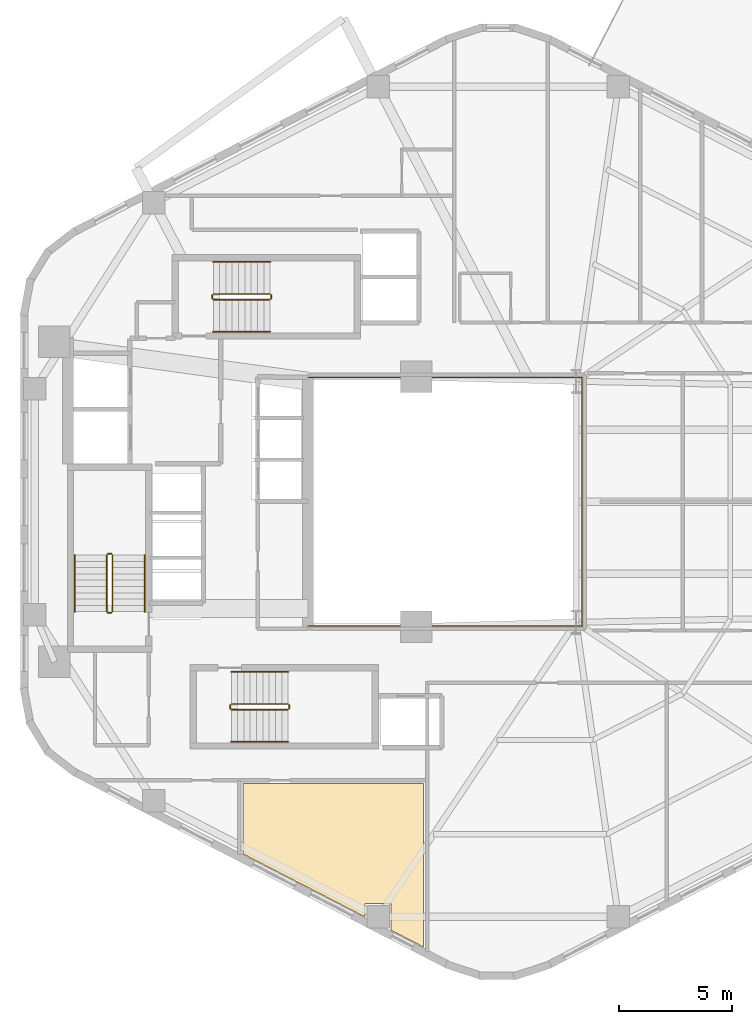
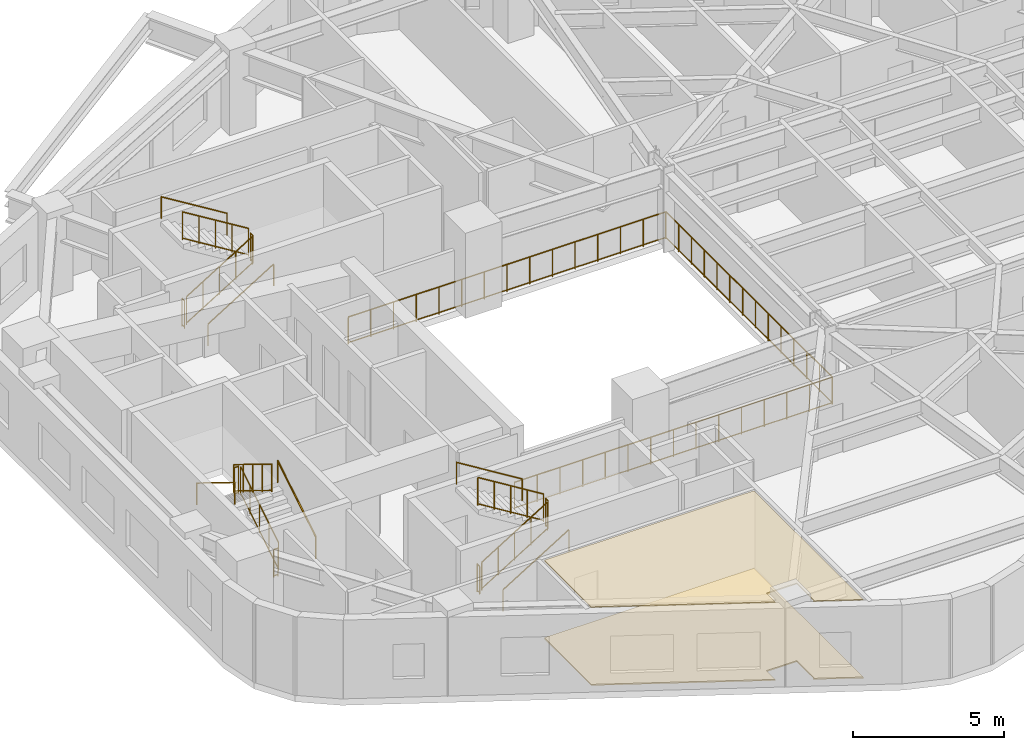
# One storey, part 7 of 8: 19 railings, 2 coverings.
"""IFC4 building model written with IfcOpenShell, lengths in metres."""

import ifcopenshell
import ifcopenshell.guid

model = None  # the IFC model being written
_history = None  # IfcOwnerHistory: only IFC2X3 demands one
_inside = {}  # id of a spatial element -> (the spatial element, [elements in it])
_under = {}  # id of a project, library or spatial element -> (it, [spatial elements below it])
_declared = {}  # id of a project -> (the project, [libraries it declares])
_typed = {}  # id of a type object -> (the type object, [elements of that type])
_made_of = {}  # id of a material, layer set ... -> (it, [elements and type objects made of it])


def new_model(schema):
    """Start an empty IFC model of exactly this schema.

    Asked for "IFC4X3", IfcOpenShell would pick the latest addendum, in which some entities
    have other attributes; the version numbers below select the first issue.
    IFC2X3 requires an IfcOwnerHistory on every rooted entity: one is made here for all.
    """
    global model, _history
    if schema == "IFC4X3":
        model = ifcopenshell.file(schema_version=(4, 3, 0, 0))
    else:
        model = ifcopenshell.file(schema=schema)
    _inside.clear()
    _under.clear()
    _declared.clear()
    _typed.clear()
    _made_of.clear()
    _history = None
    if model.schema == "IFC2X3":
        org = make("IfcOrganization", Name="unknown")
        user = make(
            "IfcPersonAndOrganization",
            ThePerson=make("IfcPerson", FamilyName="unknown"),
            TheOrganization=org,
        )
        app = make(
            "IfcApplication",
            ApplicationDeveloper=org,
            Version="unknown",
            ApplicationFullName="unknown",
            ApplicationIdentifier="unknown",
        )
        _history = make(
            "IfcOwnerHistory",
            OwningUser=user,
            OwningApplication=app,
            ChangeAction="ADDED",
            CreationDate=0,
        )
    return model


def make(cls, **values):
    """One entity of the class cls with the attributes given. An attribute that is None is left unset."""
    return model.create_entity(
        cls, **{name: value for name, value in values.items() if value is not None}
    )


def rooted(cls, **values):
    """An entity with a GlobalId (a new one), such as an element, a storey or a relation."""
    return make(cls, GlobalId=ifcopenshell.guid.new(), OwnerHistory=_history, **values)


def si_unit(unit_type, name, prefix=None):
    """IfcSIUnit, for example si_unit("LENGTHUNIT", "METRE", prefix="MILLI")."""
    return make("IfcSIUnit", UnitType=unit_type, Prefix=prefix, Name=name)


def assignment(units):
    """IfcUnitAssignment: the units of a project."""
    return None if units is None else make("IfcUnitAssignment", Units=units)


def point(xyz):
    """IfcCartesianPoint."""
    return None if xyz is None else make("IfcCartesianPoint", Coordinates=xyz)


def direction(xyz):
    """IfcDirection."""
    return None if xyz is None else make("IfcDirection", DirectionRatios=xyz)


def frame(location, z_axis=None, x_axis=None):
    """IfcAxis2Placement3D, a coordinate frame: its origin and axes. An axis left out is left unset."""
    return make(
        "IfcAxis2Placement3D",
        Location=point(location),
        Axis=direction(z_axis),
        RefDirection=direction(x_axis),
    )


def frame_2d(location, x_axis=None):
    """IfcAxis2Placement2D, a coordinate frame in the plane: its origin and x axis."""
    return make(
        "IfcAxis2Placement2D", Location=point(location), RefDirection=direction(x_axis)
    )


def origin():
    """The frame at (0, 0, 0) with its axes left unset."""
    return frame((0.0, 0.0, 0.0))


def origin_2d():
    """The frame at (0, 0) in the plane with its x axis left unset."""
    return frame_2d((0.0, 0.0))


def place(relative_to, where):
    """IfcLocalPlacement: puts the frame where relative to a parent placement (None: the world)."""
    return make(
        "IfcLocalPlacement", PlacementRelTo=relative_to, RelativePlacement=where
    )


def context(
    kind, dimensions, precision=None, world=None, true_north=None, identifier=None
):
    """IfcGeometricRepresentationContext, for example the 3D "Model" context."""
    return make(
        "IfcGeometricRepresentationContext",
        ContextIdentifier=identifier,
        ContextType=kind,
        CoordinateSpaceDimension=dimensions,
        Precision=precision,
        WorldCoordinateSystem=world,
        TrueNorth=true_north,
    )


def subcontext(parent, identifier, kind, view, scale=None):
    """IfcGeometricRepresentationSubContext, for example "Body" below "Model"."""
    return make(
        "IfcGeometricRepresentationSubContext",
        ContextIdentifier=identifier,
        ContextType=kind,
        ParentContext=parent,
        TargetScale=scale,
        TargetView=view,
    )


def project(units=None, contexts=None):
    """IfcProject with its units and contexts."""
    return rooted(
        "IfcProject",
        Name="project",
        RepresentationContexts=contexts,
        UnitsInContext=assignment(units),
    )


def spatial(cls, under=None, at=None, **own):
    """A site, building, storey or space (cls), placed at a placement, below another one or the project."""
    s = rooted(cls, ObjectPlacement=at, **own)
    if under is not None:
        _under.setdefault(under.id(), (under, []))[1].append(s)
    return s


def polyline(points):
    """IfcPolyline through the points."""
    return make("IfcPolyline", Points=[point(p) for p in points])


def profile(cls, at=None, kind="AREA", **sizes):
    """A parametric profile (cls). Its sizes go by their IFC names, for example OverallWidth=200.0."""
    return make(cls, ProfileType=kind, Position=at, **sizes)


def circle(**sizes):
    """IfcCircleProfileDef."""
    return profile("IfcCircleProfileDef", **sizes)


def outline(outer, holes=None, kind="AREA"):
    """IfcArbitraryClosedProfileDef: a profile drawn as a closed curve; with holes, ...WithVoids."""
    if holes is None:
        return make("IfcArbitraryClosedProfileDef", ProfileType=kind, OuterCurve=outer)
    return make(
        "IfcArbitraryProfileDefWithVoids",
        ProfileType=kind,
        OuterCurve=outer,
        InnerCurves=holes,
    )


def extrude(swept, where, along, depth):
    """IfcExtrudedAreaSolid: the profile swept, set in the frame where, extruded along a direction by depth."""
    return make(
        "IfcExtrudedAreaSolid",
        SweptArea=swept,
        Position=where,
        ExtrudedDirection=direction(along),
        Depth=depth,
    )


def shape(context_of_items, identifier, shape_type, items):
    """IfcShapeRepresentation: the items that make up one representation, for example the "Body"."""
    return make(
        "IfcShapeRepresentation",
        ContextOfItems=context_of_items,
        RepresentationIdentifier=identifier,
        RepresentationType=shape_type,
        Items=items,
    )


def material(Name=None, Category=None):
    """IfcMaterial."""
    return make("IfcMaterial", Name=Name, Category=Category)


def layer(
    of_material, thickness, ventilated=None, Name=None, Category=None, Priority=None
):
    """IfcMaterialLayer: one layer of a wall or slab, of a material (None: an air gap)."""
    return make(
        "IfcMaterialLayer",
        Material=of_material,
        LayerThickness=thickness,
        IsVentilated=ventilated,
        Name=Name,
        Category=Category,
        Priority=Priority,
    )


def layer_set(layers, Name=None):
    """IfcMaterialLayerSet."""
    return make("IfcMaterialLayerSet", MaterialLayers=layers, LayerSetName=Name)


def made_of(thing, what):
    """Note that an element or type object is made of a material, layer set ...; save() writes the relation."""
    if what is not None:
        _made_of.setdefault(what.id(), (what, []))[1].append(thing)
    return thing


def type_object(cls, material=None, **own):
    """A type object (cls), such as IfcWallType, which elements share."""
    return made_of(rooted(cls, **own), material)


def element(
    cls,
    number,
    at=None,
    inside=None,
    cuts=None,
    type_object=None,
    material=None,
    context=None,
    identifier="Body",
    shape_type=None,
    held_by="IfcProductDefinitionShape",
    body=None,
    shapes=None,
    **own,
):
    """One element of the class cls, such as IfcWall. Its Tag is "e" and its number.

    at: its placement. inside: the storey or other place that contains it. cuts: it is an
    opening in that element (IfcRelVoidsElement). A single representation is given by context,
    identifier, shape_type and body (its items); several are given by shapes. held_by: the class
    of the entity that holds the representations. save() writes the other relations.
    """
    e = rooted(cls, Tag="e%d" % number, ObjectPlacement=at, **own)
    if body is not None:
        shapes = [shape(context, identifier, shape_type, body)]
    if shapes is not None:
        e.Representation = make(held_by, Representations=shapes)
    if inside is not None:
        _inside.setdefault(inside.id(), (inside, []))[1].append(e)
    if cuts is not None:
        rooted(
            "IfcRelVoidsElement", RelatingBuildingElement=cuts, RelatedOpeningElement=e
        )
    if type_object is not None:
        _typed.setdefault(type_object.id(), (type_object, []))[1].append(e)
    return made_of(e, material)


def aggregate(whole, parts):
    """IfcRelAggregates: a whole, such as a stair, and the parts it consists of."""
    return rooted("IfcRelAggregates", RelatingObject=whole, RelatedObjects=parts)


def save(model, path):
    """Write the relations noted so far, then the file.

    IfcRelAggregates (storeys below a building ...), IfcRelContainedInSpatialStructure (elements
    in a storey), IfcRelDefinesByType, IfcRelAssociatesMaterial and IfcRelDeclares: one each for
    every whole, place, type object, material and project.
    """
    for whole, parts in _under.values():
        aggregate(whole, parts)
    for where, things in _inside.values():
        rooted(
            "IfcRelContainedInSpatialStructure",
            RelatedElements=things,
            RelatingStructure=where,
        )
    for kind, things in _typed.values():
        rooted("IfcRelDefinesByType", RelatedObjects=things, RelatingType=kind)
    for what, things in _made_of.values():
        rooted("IfcRelAssociatesMaterial", RelatedObjects=things, RelatingMaterial=what)
    for by, libraries in _declared.values():
        rooted("IfcRelDeclares", RelatingContext=by, RelatedDefinitions=libraries)
    model.write(path)


model = new_model("IFC4")

# Units and contexts
model_context = context("Model", 3, precision=1e-05, world=origin(), true_north=direction((0.0, 1.0)))
body_context = subcontext(model_context, "Body", "Model", "MODEL_VIEW")
ifc_project = project(units=[si_unit("LENGTHUNIT", "METRE"), si_unit("AREAUNIT", "SQUARE_METRE"), si_unit("VOLUMEUNIT", "CUBIC_METRE"), si_unit("PLANEANGLEUNIT", "RADIAN"), si_unit("MASSUNIT", "GRAM", prefix="KILO"), si_unit("THERMODYNAMICTEMPERATUREUNIT", "KELVIN"), si_unit("POWERUNIT", "WATT")], contexts=[model_context])

# Site, building, storey
site_placement = place(None, origin())
site = spatial("IfcSite", under=ifc_project, at=site_placement, CompositionType="ELEMENT")
building_placement = place(site_placement, origin())
building = spatial("IfcBuilding", under=site, at=building_placement, Name="Skarre Station Tower", CompositionType="ELEMENT")
storey_placement = place(building_placement, frame((0.0, 0.0, 122.25)))
storey = spatial("IfcBuildingStorey", under=building, at=storey_placement, Name="L32", CompositionType="ELEMENT", Elevation=122.25)

# Railing
ifc_material_1 = material(Name="Bronze Anodized Steel & Laminated Glass Balustrade", Category="steel")
railing_type_1 = type_object("IfcRailingType", Name="Atrium Void & Mezzanine Guard Balustrade 1120", PredefinedType="GUARDRAIL", material=ifc_material_1)
railing_1_placement = place(storey_placement, frame((27.550048828125, 18.47998046875, 0.0)))
element("IfcRailing", 1, at=railing_1_placement, inside=storey, type_object=railing_type_1, Name="L32 Atrium Void Guard Balustrade", PredefinedType="GUARDRAIL", context=body_context, shape_type="SweptSolid", body=[
    extrude(circle(Radius=0.02392578125, at=origin_2d()), frame((0.0, 0.0, 1.09619140625), z_axis=(1.0, 0.0, 0.0), x_axis=(0.0, 1.0, 0.0)), (0.0, 0.0, 1.0), 12.169921875),
    extrude(circle(Radius=0.02099609375, at=origin_2d()), frame((0.0, 0.0, 0.06005859375), z_axis=(1.0, 0.0, 0.0), x_axis=(0.0, 1.0, 0.0)), (0.0, 0.0, 1.0), 12.169921875),
    extrude(circle(Radius=0.02392578125, at=origin_2d()), frame((12.169921875, 0.0, 1.09619140625), z_axis=(0.0, 1.0, 0.0), x_axis=(-1.0, 0.0, 0.0)), (0.0, 0.0, 1.0), 11.0400390625),
    extrude(circle(Radius=0.02099609375, at=origin_2d()), frame((12.169921875, 0.0, 0.06005859375), z_axis=(0.0, 1.0, 0.0), x_axis=(-1.0, 0.0, 0.0)), (0.0, 0.0, 1.0), 11.0400390625),
    extrude(circle(Radius=0.02392578125, at=origin_2d()), frame((12.169921875, 11.0400390625, 1.09619140625), z_axis=(-1.0, 0.0, 0.0), x_axis=(0.0, -1.0, 0.0)), (0.0, 0.0, 1.0), 12.169921875),
    extrude(circle(Radius=0.02099609375, at=origin_2d()), frame((12.169921875, 11.0400390625, 0.06005859375), z_axis=(-1.0, 0.0, 0.0), x_axis=(0.0, -1.0, 0.0)), (0.0, 0.0, 1.0), 12.169921875),
    extrude(circle(Radius=0.02099609375, at=origin_2d()), origin(), (0.0, 0.0, 1.0), 1.072021484375),
    extrude(circle(Radius=0.02099609375, at=origin_2d()), frame((0.869384765625, 0.0, 0.0)), (0.0, 0.0, 1.0), 1.072021484375),
    extrude(circle(Radius=0.02099609375, at=origin_2d()), frame((1.738525390625, 0.0, 0.0)), (0.0, 0.0, 1.0), 1.072021484375),
    extrude(circle(Radius=0.02099609375, at=origin_2d()), frame((2.60791015625, 0.0, 0.0)), (0.0, 0.0, 1.0), 1.072021484375),
    extrude(circle(Radius=0.02099609375, at=origin_2d()), frame((3.47705078125, 0.0, 0.0)), (0.0, 0.0, 1.0), 1.072021484375),
    extrude(circle(Radius=0.02099609375, at=origin_2d()), frame((4.346435546875, 0.0, 0.0)), (0.0, 0.0, 1.0), 1.072021484375),
    extrude(circle(Radius=0.02099609375, at=origin_2d()), frame((5.215576171875, 0.0, 0.0)), (0.0, 0.0, 1.0), 1.072021484375),
    extrude(circle(Radius=0.02099609375, at=origin_2d()), frame((6.0849609375, 0.0, 0.0)), (0.0, 0.0, 1.0), 1.072021484375),
    extrude(circle(Radius=0.02099609375, at=origin_2d()), frame((6.954345703125, 0.0, 0.0)), (0.0, 0.0, 1.0), 1.072021484375),
    extrude(circle(Radius=0.02099609375, at=origin_2d()), frame((7.823486328125, 0.0, 0.0)), (0.0, 0.0, 1.0), 1.072021484375),
    extrude(circle(Radius=0.02099609375, at=origin_2d()), frame((8.69287109375, 0.0, 0.0)), (0.0, 0.0, 1.0), 1.072021484375),
    extrude(circle(Radius=0.02099609375, at=origin_2d()), frame((9.56201171875, 0.0, 0.0)), (0.0, 0.0, 1.0), 1.072021484375),
    extrude(circle(Radius=0.02099609375, at=origin_2d()), frame((10.431396484375, 0.0, 0.0)), (0.0, 0.0, 1.0), 1.072021484375),
    extrude(circle(Radius=0.02099609375, at=origin_2d()), frame((11.300537109375, 0.0, 0.0)), (0.0, 0.0, 1.0), 1.072021484375),
    extrude(circle(Radius=0.02099609375, at=origin_2d()), frame((12.169921875, 0.0, 0.0)), (0.0, 0.0, 1.0), 1.072021484375),
    extrude(circle(Radius=0.02099609375, at=origin_2d()), frame((12.169921875, 0.84912109375, 0.0)), (0.0, 0.0, 1.0), 1.072021484375),
    extrude(circle(Radius=0.02099609375, at=origin_2d()), frame((12.169921875, 1.698486328125, 0.0)), (0.0, 0.0, 1.0), 1.072021484375),
    extrude(circle(Radius=0.02099609375, at=origin_2d()), frame((12.169921875, 2.547607421875, 0.0)), (0.0, 0.0, 1.0), 1.072021484375),
    extrude(circle(Radius=0.02099609375, at=origin_2d()), frame((12.169921875, 3.39697265625, 0.0)), (0.0, 0.0, 1.0), 1.072021484375),
    extrude(circle(Radius=0.02099609375, at=origin_2d()), frame((12.169921875, 4.24609375, 0.0)), (0.0, 0.0, 1.0), 1.072021484375),
    extrude(circle(Radius=0.02099609375, at=origin_2d()), frame((12.169921875, 5.095458984375, 0.0)), (0.0, 0.0, 1.0), 1.072021484375),
    extrude(circle(Radius=0.02099609375, at=origin_2d()), frame((12.169921875, 5.944580078125, 0.0)), (0.0, 0.0, 1.0), 1.072021484375),
    extrude(circle(Radius=0.02099609375, at=origin_2d()), frame((12.169921875, 6.7939453125, 0.0)), (0.0, 0.0, 1.0), 1.072021484375),
    extrude(circle(Radius=0.02099609375, at=origin_2d()), frame((12.169921875, 7.64306640625, 0.0)), (0.0, 0.0, 1.0), 1.072021484375),
    extrude(circle(Radius=0.02099609375, at=origin_2d()), frame((12.169921875, 8.492431640625, 0.0)), (0.0, 0.0, 1.0), 1.072021484375),
    extrude(circle(Radius=0.02099609375, at=origin_2d()), frame((12.169921875, 9.341552734375, 0.0)), (0.0, 0.0, 1.0), 1.072021484375),
    extrude(circle(Radius=0.02099609375, at=origin_2d()), frame((12.169921875, 10.19091796875, 0.0)), (0.0, 0.0, 1.0), 1.072021484375),
    extrude(circle(Radius=0.02099609375, at=origin_2d()), frame((12.169921875, 11.0400390625, 0.0)), (0.0, 0.0, 1.0), 1.072021484375),
    extrude(circle(Radius=0.02099609375, at=origin_2d()), frame((11.300537109375, 11.0400390625, 0.0)), (0.0, 0.0, 1.0), 1.072021484375),
    extrude(circle(Radius=0.02099609375, at=origin_2d()), frame((10.431396484375, 11.0400390625, 0.0)), (0.0, 0.0, 1.0), 1.072021484375),
    extrude(circle(Radius=0.02099609375, at=origin_2d()), frame((9.56201171875, 11.0400390625, 0.0)), (0.0, 0.0, 1.0), 1.072021484375),
    extrude(circle(Radius=0.02099609375, at=origin_2d()), frame((8.69287109375, 11.0400390625, 0.0)), (0.0, 0.0, 1.0), 1.072021484375),
    extrude(circle(Radius=0.02099609375, at=origin_2d()), frame((7.823486328125, 11.0400390625, 0.0)), (0.0, 0.0, 1.0), 1.072021484375),
    extrude(circle(Radius=0.02099609375, at=origin_2d()), frame((6.954345703125, 11.0400390625, 0.0)), (0.0, 0.0, 1.0), 1.072021484375),
    extrude(circle(Radius=0.02099609375, at=origin_2d()), frame((6.0849609375, 11.0400390625, 0.0)), (0.0, 0.0, 1.0), 1.072021484375),
    extrude(circle(Radius=0.02099609375, at=origin_2d()), frame((5.215576171875, 11.0400390625, 0.0)), (0.0, 0.0, 1.0), 1.072021484375),
    extrude(circle(Radius=0.02099609375, at=origin_2d()), frame((4.346435546875, 11.0400390625, 0.0)), (0.0, 0.0, 1.0), 1.072021484375),
    extrude(circle(Radius=0.02099609375, at=origin_2d()), frame((3.47705078125, 11.0400390625, 0.0)), (0.0, 0.0, 1.0), 1.072021484375),
    extrude(circle(Radius=0.02099609375, at=origin_2d()), frame((2.60791015625, 11.0400390625, 0.0)), (0.0, 0.0, 1.0), 1.072021484375),
    extrude(circle(Radius=0.02099609375, at=origin_2d()), frame((1.738525390625, 11.0400390625, 0.0)), (0.0, 0.0, 1.0), 1.072021484375),
    extrude(circle(Radius=0.02099609375, at=origin_2d()), frame((0.869384765625, 11.0400390625, 0.0)), (0.0, 0.0, 1.0), 1.072021484375),
    extrude(circle(Radius=0.02099609375, at=origin_2d()), frame((0.0, 11.0400390625, 0.0)), (0.0, 0.0, 1.0), 1.072021484375),
])

# Coverings
ifc_material_2 = material(Name="Honed Jura Limestone & Calcium-Sulfate Access Tile", Category="masonry")
ifc_layer_1 = layer(ifc_material_2, 0.050048828125, Name="Honed Jura Limestone & Calcium-Sulfate Access Tile")
ifc_layer_set_1 = layer_set([ifc_layer_1], Name="Honed Jura Limestone & Calcium-Sulfate Access Tile")
covering_type_1 = type_object("IfcCoveringType", Name="Honed Limestone & Raised Access Floor Finish 50", PredefinedType="FLOORING", material=ifc_layer_set_1)
covering_1_placement = place(storey_placement, origin())
element("IfcCovering", 2, at=covering_1_placement, inside=storey, type_object=covering_type_1, Name="L32 Limestone Access Flooring 1", PredefinedType="FLOORING", context=body_context, shape_type="SweptSolid", body=[
    extrude(outline(polyline([(24.659912109375, 8.3798828125), (30.089111328125, 5.577880859375), (30.089111328125, 6.162109375), (31.2490234375, 6.162109375), (31.2490234375, 5.001953125), (31.205078125, 5.001953125), (32.68994140625, 4.235107421875), (32.68994140625, 11.5), (24.659912109375, 11.5), (24.659912109375, 8.3798828125)])), origin(), (0.0, 0.0, 1.0), 0.050048828125),
])
ifc_material_3 = material(Name="Perforated Nordic Birch Veneer & Mineral Wool", Category="wood")
ifc_layer_2 = layer(ifc_material_3, 0.044921875, Name="Perforated Nordic Birch Veneer & Mineral Wool")
ifc_layer_set_2 = layer_set([ifc_layer_2], Name="Perforated Nordic Birch Veneer & Mineral Wool")
covering_type_2 = type_object("IfcCoveringType", Name="Nordic Birch Slatted Acoustic Suspended Ceiling 45", PredefinedType="CEILING", material=ifc_layer_set_2)
covering_2_placement = place(storey_placement, frame((0.0, 0.0, 3.14501953125)))
element("IfcCovering", 3, at=covering_2_placement, inside=storey, type_object=covering_type_2, Name="L32 Acoustic Birch Ceiling 1", PredefinedType="CEILING", context=body_context, shape_type="SweptSolid", body=[
    extrude(outline(polyline([(24.659912109375, 8.3798828125), (30.089111328125, 5.577880859375), (30.089111328125, 6.162109375), (31.2490234375, 6.162109375), (31.2490234375, 5.001953125), (31.205078125, 5.001953125), (32.68994140625, 4.235107421875), (32.68994140625, 11.5), (24.659912109375, 11.5), (24.659912109375, 8.3798828125)])), origin(), (0.0, 0.0, 1.0), 0.044921875),
])

# Railings
ifc_material_4 = material(Name="Powder-Coated Tubular Steel", Category="steel")
railing_type_2 = type_object("IfcRailingType", Name="Painted Steel Ramp & Stair Handrail 920", PredefinedType="HANDRAIL", material=ifc_material_4)
railing_2_placement = place(storey_placement, frame((20.300048828125, 19.1201171875, 0.172607421875)))
element("IfcRailing", 4, at=railing_2_placement, inside=storey, type_object=railing_type_2, Name="L32 ST-1 stair handrail 1", PredefinedType="HANDRAIL", context=body_context, shape_type="SweptSolid", body=[
    extrude(circle(Radius=0.02392578125, at=origin_2d()), frame((0.0, 0.0, 0.8759765625), z_axis=(0.0, 0.851377800117, 0.52455299205), x_axis=(-1.0, 0.0, 0.0)), (0.0, 0.0, 1.0), 2.959716796875),
    extrude(circle(Radius=0.02099609375, at=origin_2d()), origin(), (0.0, 0.0, 1.0), 0.851806640625),
    extrude(circle(Radius=0.02099609375, at=origin_2d()), frame((0.0, 2.519775390625, 1.552490234375)), (0.0, 0.0, 1.0), 0.851806640625),
])
railing_3_placement = place(storey_placement, frame((17.199951171875, 21.639892578125, 1.8974609375)))
element("IfcRailing", 5, at=railing_3_placement, inside=storey, type_object=railing_type_2, Name="L32 ST-1 stair handrail 2", PredefinedType="HANDRAIL", context=body_context, shape_type="SweptSolid", body=[
    extrude(circle(Radius=0.02392578125, at=origin_2d()), frame((0.0, 0.0, 0.8759765625), z_axis=(0.0, -0.851377800117, 0.52455299205), x_axis=(1.0, 0.0, 0.0)), (0.0, 0.0, 1.0), 2.959716796875),
    extrude(circle(Radius=0.02099609375, at=origin_2d()), origin(), (0.0, 0.0, 1.0), 0.851806640625),
    extrude(circle(Radius=0.02099609375, at=origin_2d()), frame((0.0, -2.519775390625, 1.552490234375)), (0.0, 0.0, 1.0), 0.851806640625),
])
railing_4_placement = place(storey_placement, frame((24.14990234375, 13.35009765625, 0.172607421875)))
element("IfcRailing", 6, at=railing_4_placement, inside=storey, type_object=railing_type_2, Name="L32 ST-2 stair handrail 1", PredefinedType="HANDRAIL", context=body_context, shape_type="SweptSolid", body=[
    extrude(circle(Radius=0.02392578125, at=origin_2d()), frame((0.0, 0.0, 0.8759765625), z_axis=(0.851400495292, 0.0, 0.524516154772), x_axis=(0.0, 1.0, 0.0)), (0.0, 0.0, 1.0), 2.9599609375),
    extrude(circle(Radius=0.02099609375, at=origin_2d()), origin(), (0.0, 0.0, 1.0), 0.851806640625),
    extrude(circle(Radius=0.02099609375, at=origin_2d()), frame((2.52001953125, 0.0, 1.552490234375)), (0.0, 0.0, 1.0), 0.851806640625),
])
railing_5_placement = place(storey_placement, frame((26.669921875, 16.449951171875, 1.8974609375)))
element("IfcRailing", 7, at=railing_5_placement, inside=storey, type_object=railing_type_2, Name="L32 ST-2 stair handrail 2", PredefinedType="HANDRAIL", context=body_context, shape_type="SweptSolid", body=[
    extrude(circle(Radius=0.02392578125, at=origin_2d()), frame((0.0, 0.0, 0.8759765625), z_axis=(-0.851400495292, 0.0, 0.524516154772), x_axis=(0.0, -1.0, 0.0)), (0.0, 0.0, 1.0), 2.9599609375),
    extrude(circle(Radius=0.02099609375, at=origin_2d()), origin(), (0.0, 0.0, 1.0), 0.851806640625),
    extrude(circle(Radius=0.02099609375, at=origin_2d()), frame((-2.52001953125, 0.0, 1.552490234375)), (0.0, 0.0, 1.0), 0.851806640625),
])
railing_6_placement = place(storey_placement, frame((23.35009765625, 31.550048828125, 0.172607421875)))
element("IfcRailing", 8, at=railing_6_placement, inside=storey, type_object=railing_type_2, Name="L32 ST-3 stair handrail 1", PredefinedType="HANDRAIL", context=body_context, shape_type="SweptSolid", body=[
    extrude(circle(Radius=0.02392578125, at=origin_2d()), frame((0.0, 0.0, 0.8759765625), z_axis=(0.851400495292, 0.0, 0.524516154772), x_axis=(0.0, 1.0, 0.0)), (0.0, 0.0, 1.0), 2.9599609375),
    extrude(circle(Radius=0.02099609375, at=origin_2d()), origin(), (0.0, 0.0, 1.0), 0.851806640625),
    extrude(circle(Radius=0.02099609375, at=origin_2d()), frame((2.52001953125, 0.0, 1.552490234375)), (0.0, 0.0, 1.0), 0.851806640625),
])
railing_7_placement = place(storey_placement, frame((25.8701171875, 34.64990234375, 1.8974609375)))
element("IfcRailing", 9, at=railing_7_placement, inside=storey, type_object=railing_type_2, Name="L32 ST-3 stair handrail 2", PredefinedType="HANDRAIL", context=body_context, shape_type="SweptSolid", body=[
    extrude(circle(Radius=0.02392578125, at=origin_2d()), frame((0.0, 0.0, 0.8759765625), z_axis=(-0.851400495292, 0.0, 0.524516154772), x_axis=(0.0, -1.0, 0.0)), (0.0, 0.0, 1.0), 2.9599609375),
    extrude(circle(Radius=0.02099609375, at=origin_2d()), origin(), (0.0, 0.0, 1.0), 0.851806640625),
    extrude(circle(Radius=0.02099609375, at=origin_2d()), frame((-2.52001953125, 0.0, 1.552490234375)), (0.0, 0.0, 1.0), 0.851806640625),
])
railing_type_3 = type_object("IfcRailingType", Name="Painted Steel Stairwell Guardrail 1100", PredefinedType="GUARDRAIL", material=ifc_material_4)
railing_8_placement = place(storey_placement, frame((18.8798828125, 19.1201171875, 0.172607421875)))
element("IfcRailing", 10, at=railing_8_placement, inside=storey, type_object=railing_type_3, Name="L32 ST-1 stair guard 1", PredefinedType="GUARDRAIL", context=body_context, shape_type="SweptSolid", body=[
    extrude(circle(Radius=0.02392578125, at=origin_2d()), frame((0.0, 0.0, 1.1259765625), z_axis=(0.0, 0.851377800117, 0.52455299205), x_axis=(-1.0, 0.0, 0.0)), (0.0, 0.0, 1.0), 2.959716796875),
    extrude(circle(Radius=0.02099609375, at=origin_2d()), frame((0.0, 0.0, 0.06005859375), z_axis=(0.0, 0.851377800117, 0.52455299205), x_axis=(-1.0, 0.0, 0.0)), (0.0, 0.0, 1.0), 2.959716796875),
    extrude(circle(Radius=0.02099609375, at=origin_2d()), origin(), (0.0, 0.0, 1.0), 1.101806640625),
    extrude(circle(Radius=0.02099609375, at=origin_2d()), frame((0.0, 0.6298828125, 0.38818359375)), (0.0, 0.0, 1.0), 1.101806640625),
    extrude(circle(Radius=0.02099609375, at=origin_2d()), frame((0.0, 1.259765625, 0.7763671875)), (0.0, 0.0, 1.0), 1.101806640625),
    extrude(circle(Radius=0.02099609375, at=origin_2d()), frame((0.0, 1.889892578125, 1.164306640625)), (0.0, 0.0, 1.0), 1.101806640625),
    extrude(circle(Radius=0.02099609375, at=origin_2d()), frame((0.0, 2.519775390625, 1.552490234375)), (0.0, 0.0, 1.0), 1.101806640625),
])
railing_9_placement = place(storey_placement, frame((18.830078125, 21.68994140625, 1.72509765625)))
element("IfcRailing", 11, at=railing_9_placement, inside=storey, type_object=railing_type_3, Name="L32 ST-1 stair guard 2", PredefinedType="GUARDRAIL", context=body_context, shape_type="SweptSolid", body=[
    extrude(circle(Radius=0.02392578125, at=origin_2d()), frame((0.0, 0.0, 1.1259765625), z_axis=(-1.0, 0.0, 0.0), x_axis=(0.0, -1.0, 0.0)), (0.0, 0.0, 1.0), 0.16015625),
    extrude(circle(Radius=0.02099609375, at=origin_2d()), frame((0.0, 0.0, 0.06005859375), z_axis=(-1.0, 0.0, 0.0), x_axis=(0.0, -1.0, 0.0)), (0.0, 0.0, 1.0), 0.16015625),
    extrude(circle(Radius=0.02099609375, at=origin_2d()), origin(), (0.0, 0.0, 1.0), 1.101806640625),
    extrude(circle(Radius=0.02099609375, at=origin_2d()), frame((-0.16015625, 0.0, 0.0)), (0.0, 0.0, 1.0), 1.101806640625),
])
railing_10_placement = place(storey_placement, frame((18.6201171875, 21.639892578125, 1.8974609375)))
element("IfcRailing", 12, at=railing_10_placement, inside=storey, type_object=railing_type_3, Name="L32 ST-1 stair guard 3", PredefinedType="GUARDRAIL", context=body_context, shape_type="SweptSolid", body=[
    extrude(circle(Radius=0.02392578125, at=origin_2d()), frame((0.0, 0.0, 1.1259765625), z_axis=(0.0, -0.851377800117, 0.52455299205), x_axis=(1.0, 0.0, 0.0)), (0.0, 0.0, 1.0), 2.959716796875),
    extrude(circle(Radius=0.02099609375, at=origin_2d()), frame((0.0, 0.0, 0.06005859375), z_axis=(0.0, -0.851377800117, 0.52455299205), x_axis=(1.0, 0.0, 0.0)), (0.0, 0.0, 1.0), 2.959716796875),
    extrude(circle(Radius=0.02099609375, at=origin_2d()), origin(), (0.0, 0.0, 1.0), 1.101806640625),
    extrude(circle(Radius=0.02099609375, at=origin_2d()), frame((0.0, -0.6298828125, 0.38818359375)), (0.0, 0.0, 1.0), 1.101806640625),
    extrude(circle(Radius=0.02099609375, at=origin_2d()), frame((0.0, -1.259765625, 0.7763671875)), (0.0, 0.0, 1.0), 1.101806640625),
    extrude(circle(Radius=0.02099609375, at=origin_2d()), frame((0.0, -1.889892578125, 1.164306640625)), (0.0, 0.0, 1.0), 1.101806640625),
    extrude(circle(Radius=0.02099609375, at=origin_2d()), frame((0.0, -2.519775390625, 1.552490234375)), (0.0, 0.0, 1.0), 1.101806640625),
])
railing_11_placement = place(storey_placement, frame((18.830078125, 19.070068359375, 0.0)))
element("IfcRailing", 13, at=railing_11_placement, inside=storey, type_object=railing_type_3, Name="L32 ST-1 stair guard 4", PredefinedType="GUARDRAIL", context=body_context, shape_type="SweptSolid", body=[
    extrude(circle(Radius=0.02392578125, at=origin_2d()), frame((0.0, 0.0, 1.1259765625), z_axis=(-1.0, 0.0, 0.0), x_axis=(0.0, -1.0, 0.0)), (0.0, 0.0, 1.0), 0.16015625),
    extrude(circle(Radius=0.02099609375, at=origin_2d()), frame((0.0, 0.0, 0.06005859375), z_axis=(-1.0, 0.0, 0.0), x_axis=(0.0, -1.0, 0.0)), (0.0, 0.0, 1.0), 0.16015625),
    extrude(circle(Radius=0.02099609375, at=origin_2d()), origin(), (0.0, 0.0, 1.0), 1.101806640625),
    extrude(circle(Radius=0.02099609375, at=origin_2d()), frame((-0.16015625, 0.0, 0.0)), (0.0, 0.0, 1.0), 1.101806640625),
])
railing_12_placement = place(storey_placement, frame((24.14990234375, 14.77001953125, 0.172607421875)))
element("IfcRailing", 14, at=railing_12_placement, inside=storey, type_object=railing_type_3, Name="L32 ST-2 stair guard 1", PredefinedType="GUARDRAIL", context=body_context, shape_type="SweptSolid", body=[
    extrude(circle(Radius=0.02392578125, at=origin_2d()), frame((0.0, 0.0, 1.1259765625), z_axis=(0.851400495292, 0.0, 0.524516154772), x_axis=(0.0, 1.0, 0.0)), (0.0, 0.0, 1.0), 2.9599609375),
    extrude(circle(Radius=0.02099609375, at=origin_2d()), frame((0.0, 0.0, 0.06005859375), z_axis=(0.851400495292, 0.0, 0.524516154772), x_axis=(0.0, 1.0, 0.0)), (0.0, 0.0, 1.0), 2.9599609375),
    extrude(circle(Radius=0.02099609375, at=origin_2d()), origin(), (0.0, 0.0, 1.0), 1.101806640625),
    extrude(circle(Radius=0.02099609375, at=origin_2d()), frame((0.6298828125, 0.0, 0.38818359375)), (0.0, 0.0, 1.0), 1.101806640625),
    extrude(circle(Radius=0.02099609375, at=origin_2d()), frame((1.260009765625, 0.0, 0.7763671875)), (0.0, 0.0, 1.0), 1.101806640625),
    extrude(circle(Radius=0.02099609375, at=origin_2d()), frame((1.89013671875, 0.0, 1.164306640625)), (0.0, 0.0, 1.0), 1.101806640625),
    extrude(circle(Radius=0.02099609375, at=origin_2d()), frame((2.52001953125, 0.0, 1.552490234375)), (0.0, 0.0, 1.0), 1.101806640625),
])
railing_13_placement = place(storey_placement, frame((26.719970703125, 14.820068359375, 1.72509765625)))
element("IfcRailing", 15, at=railing_13_placement, inside=storey, type_object=railing_type_3, Name="L32 ST-2 stair guard 2", PredefinedType="GUARDRAIL", context=body_context, shape_type="SweptSolid", body=[
    extrude(circle(Radius=0.02392578125, at=origin_2d()), frame((0.0, 0.0, 1.1259765625), z_axis=(0.0, 1.0, 0.0), x_axis=(-1.0, 0.0, 0.0)), (0.0, 0.0, 1.0), 0.159912109375),
    extrude(circle(Radius=0.02099609375, at=origin_2d()), frame((0.0, 0.0, 0.06005859375), z_axis=(0.0, 1.0, 0.0), x_axis=(-1.0, 0.0, 0.0)), (0.0, 0.0, 1.0), 0.159912109375),
    extrude(circle(Radius=0.02099609375, at=origin_2d()), origin(), (0.0, 0.0, 1.0), 1.101806640625),
    extrude(circle(Radius=0.02099609375, at=origin_2d()), frame((0.0, 0.159912109375, 0.0)), (0.0, 0.0, 1.0), 1.101806640625),
])
railing_14_placement = place(storey_placement, frame((26.669921875, 15.030029296875, 1.8974609375)))
element("IfcRailing", 16, at=railing_14_placement, inside=storey, type_object=railing_type_3, Name="L32 ST-2 stair guard 3", PredefinedType="GUARDRAIL", context=body_context, shape_type="SweptSolid", body=[
    extrude(circle(Radius=0.02392578125, at=origin_2d()), frame((0.0, 0.0, 1.1259765625), z_axis=(-0.851400495292, 0.0, 0.524516154772), x_axis=(0.0, -1.0, 0.0)), (0.0, 0.0, 1.0), 2.9599609375),
    extrude(circle(Radius=0.02099609375, at=origin_2d()), frame((0.0, 0.0, 0.06005859375), z_axis=(-0.851400495292, 0.0, 0.524516154772), x_axis=(0.0, -1.0, 0.0)), (0.0, 0.0, 1.0), 2.9599609375),
    extrude(circle(Radius=0.02099609375, at=origin_2d()), origin(), (0.0, 0.0, 1.0), 1.101806640625),
    extrude(circle(Radius=0.02099609375, at=origin_2d()), frame((-0.6298828125, 0.0, 0.38818359375)), (0.0, 0.0, 1.0), 1.101806640625),
    extrude(circle(Radius=0.02099609375, at=origin_2d()), frame((-1.260009765625, 0.0, 0.7763671875)), (0.0, 0.0, 1.0), 1.101806640625),
    extrude(circle(Radius=0.02099609375, at=origin_2d()), frame((-1.89013671875, 0.0, 1.164306640625)), (0.0, 0.0, 1.0), 1.101806640625),
    extrude(circle(Radius=0.02099609375, at=origin_2d()), frame((-2.52001953125, 0.0, 1.552490234375)), (0.0, 0.0, 1.0), 1.101806640625),
])
railing_15_placement = place(storey_placement, frame((24.10009765625, 14.820068359375, 0.0)))
element("IfcRailing", 17, at=railing_15_placement, inside=storey, type_object=railing_type_3, Name="L32 ST-2 stair guard 4", PredefinedType="GUARDRAIL", context=body_context, shape_type="SweptSolid", body=[
    extrude(circle(Radius=0.02392578125, at=origin_2d()), frame((0.0, 0.0, 1.1259765625), z_axis=(0.0, 1.0, 0.0), x_axis=(-1.0, 0.0, 0.0)), (0.0, 0.0, 1.0), 0.159912109375),
    extrude(circle(Radius=0.02099609375, at=origin_2d()), frame((0.0, 0.0, 0.06005859375), z_axis=(0.0, 1.0, 0.0), x_axis=(-1.0, 0.0, 0.0)), (0.0, 0.0, 1.0), 0.159912109375),
    extrude(circle(Radius=0.02099609375, at=origin_2d()), origin(), (0.0, 0.0, 1.0), 1.101806640625),
    extrude(circle(Radius=0.02099609375, at=origin_2d()), frame((0.0, 0.159912109375, 0.0)), (0.0, 0.0, 1.0), 1.101806640625),
])
railing_16_placement = place(storey_placement, frame((23.35009765625, 32.969970703125, 0.172607421875)))
element("IfcRailing", 18, at=railing_16_placement, inside=storey, type_object=railing_type_3, Name="L32 ST-3 stair guard 1", PredefinedType="GUARDRAIL", context=body_context, shape_type="SweptSolid", body=[
    extrude(circle(Radius=0.02392578125, at=origin_2d()), frame((0.0, 0.0, 1.1259765625), z_axis=(0.851400495292, 0.0, 0.524516154772), x_axis=(0.0, 1.0, 0.0)), (0.0, 0.0, 1.0), 2.9599609375),
    extrude(circle(Radius=0.02099609375, at=origin_2d()), frame((0.0, 0.0, 0.06005859375), z_axis=(0.851400495292, 0.0, 0.524516154772), x_axis=(0.0, 1.0, 0.0)), (0.0, 0.0, 1.0), 2.9599609375),
    extrude(circle(Radius=0.02099609375, at=origin_2d()), origin(), (0.0, 0.0, 1.0), 1.101806640625),
    extrude(circle(Radius=0.02099609375, at=origin_2d()), frame((0.6298828125, 0.0, 0.38818359375)), (0.0, 0.0, 1.0), 1.101806640625),
    extrude(circle(Radius=0.02099609375, at=origin_2d()), frame((1.260009765625, 0.0, 0.7763671875)), (0.0, 0.0, 1.0), 1.101806640625),
    extrude(circle(Radius=0.02099609375, at=origin_2d()), frame((1.89013671875, 0.0, 1.164306640625)), (0.0, 0.0, 1.0), 1.101806640625),
    extrude(circle(Radius=0.02099609375, at=origin_2d()), frame((2.52001953125, 0.0, 1.552490234375)), (0.0, 0.0, 1.0), 1.101806640625),
])
railing_17_placement = place(storey_placement, frame((25.919921875, 33.02001953125, 1.72509765625)))
element("IfcRailing", 19, at=railing_17_placement, inside=storey, type_object=railing_type_3, Name="L32 ST-3 stair guard 2", PredefinedType="GUARDRAIL", context=body_context, shape_type="SweptSolid", body=[
    extrude(circle(Radius=0.02392578125, at=origin_2d()), frame((0.0, 0.0, 1.1259765625), z_axis=(0.0, 1.0, 0.0), x_axis=(-1.0, 0.0, 0.0)), (0.0, 0.0, 1.0), 0.159912109375),
    extrude(circle(Radius=0.02099609375, at=origin_2d()), frame((0.0, 0.0, 0.06005859375), z_axis=(0.0, 1.0, 0.0), x_axis=(-1.0, 0.0, 0.0)), (0.0, 0.0, 1.0), 0.159912109375),
    extrude(circle(Radius=0.02099609375, at=origin_2d()), origin(), (0.0, 0.0, 1.0), 1.101806640625),
    extrude(circle(Radius=0.02099609375, at=origin_2d()), frame((0.0, 0.159912109375, 0.0)), (0.0, 0.0, 1.0), 1.101806640625),
])
railing_18_placement = place(storey_placement, frame((25.8701171875, 33.22998046875, 1.8974609375)))
element("IfcRailing", 20, at=railing_18_placement, inside=storey, type_object=railing_type_3, Name="L32 ST-3 stair guard 3", PredefinedType="GUARDRAIL", context=body_context, shape_type="SweptSolid", body=[
    extrude(circle(Radius=0.02392578125, at=origin_2d()), frame((0.0, 0.0, 1.1259765625), z_axis=(-0.851400495292, 0.0, 0.524516154772), x_axis=(0.0, -1.0, 0.0)), (0.0, 0.0, 1.0), 2.9599609375),
    extrude(circle(Radius=0.02099609375, at=origin_2d()), frame((0.0, 0.0, 0.06005859375), z_axis=(-0.851400495292, 0.0, 0.524516154772), x_axis=(0.0, -1.0, 0.0)), (0.0, 0.0, 1.0), 2.9599609375),
    extrude(circle(Radius=0.02099609375, at=origin_2d()), origin(), (0.0, 0.0, 1.0), 1.101806640625),
    extrude(circle(Radius=0.02099609375, at=origin_2d()), frame((-0.6298828125, 0.0, 0.38818359375)), (0.0, 0.0, 1.0), 1.101806640625),
    extrude(circle(Radius=0.02099609375, at=origin_2d()), frame((-1.260009765625, 0.0, 0.7763671875)), (0.0, 0.0, 1.0), 1.101806640625),
    extrude(circle(Radius=0.02099609375, at=origin_2d()), frame((-1.89013671875, 0.0, 1.164306640625)), (0.0, 0.0, 1.0), 1.101806640625),
    extrude(circle(Radius=0.02099609375, at=origin_2d()), frame((-2.52001953125, 0.0, 1.552490234375)), (0.0, 0.0, 1.0), 1.101806640625),
])
railing_19_placement = place(storey_placement, frame((23.300048828125, 33.02001953125, 0.0)))
element("IfcRailing", 21, at=railing_19_placement, inside=storey, type_object=railing_type_3, Name="L32 ST-3 stair guard 4", PredefinedType="GUARDRAIL", context=body_context, shape_type="SweptSolid", body=[
    extrude(circle(Radius=0.02392578125, at=origin_2d()), frame((0.0, 0.0, 1.1259765625), z_axis=(0.0, 1.0, 0.0), x_axis=(-1.0, 0.0, 0.0)), (0.0, 0.0, 1.0), 0.159912109375),
    extrude(circle(Radius=0.02099609375, at=origin_2d()), frame((0.0, 0.0, 0.06005859375), z_axis=(0.0, 1.0, 0.0), x_axis=(-1.0, 0.0, 0.0)), (0.0, 0.0, 1.0), 0.159912109375),
    extrude(circle(Radius=0.02099609375, at=origin_2d()), origin(), (0.0, 0.0, 1.0), 1.101806640625),
    extrude(circle(Radius=0.02099609375, at=origin_2d()), frame((0.0, 0.159912109375, 0.0)), (0.0, 0.0, 1.0), 1.101806640625),
])

save(model, "model.ifc")
